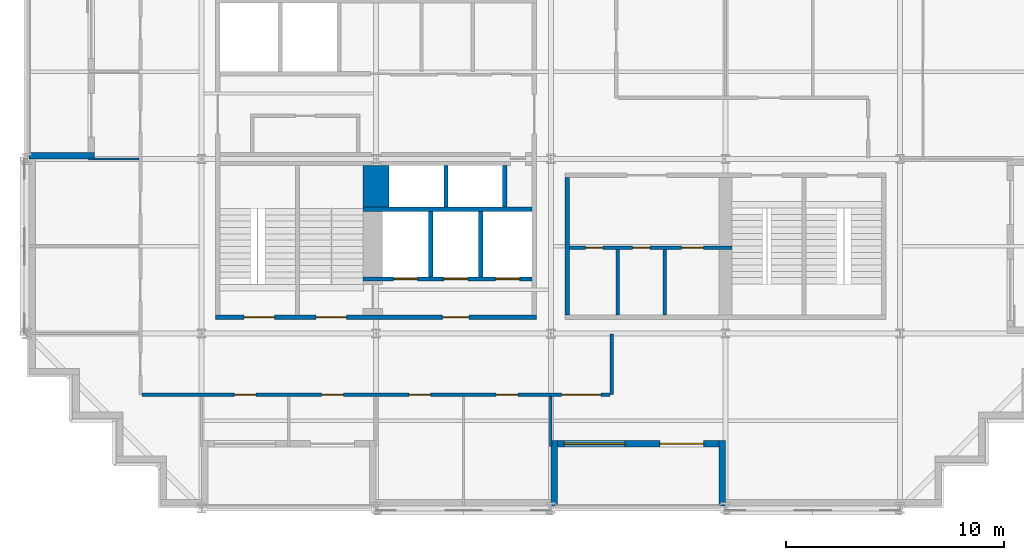
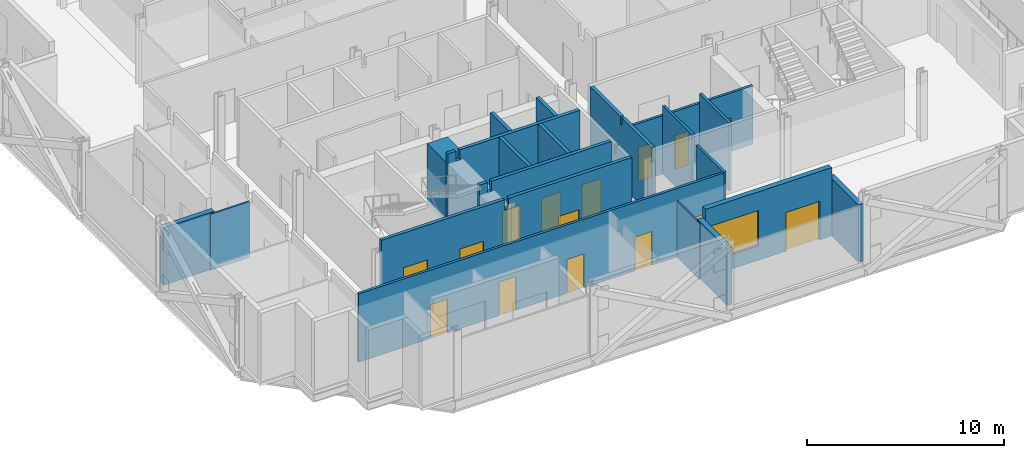
# One storey, part 6 of 13: 20 walls, 15 doors, 1 window, 16 openings.
"""IFC4 building model written with IfcOpenShell, lengths in metres."""

from ifc_helpers import new_model, si_unit, direction, frame, frame_2d, origin, place, context, subcontext, project, spatial, polyline, rectangle, outline, extrude, material, layer, layer_set, type_object, element, fill, save


model = new_model("IFC4")

# Units and contexts
model_context = context("Model", 3, precision=1e-05, world=origin(), true_north=direction((0.0, 1.0)))
body_context = subcontext(model_context, "Body", "Model", "MODEL_VIEW")
ifc_project = project(units=[si_unit("LENGTHUNIT", "METRE"), si_unit("AREAUNIT", "SQUARE_METRE"), si_unit("VOLUMEUNIT", "CUBIC_METRE"), si_unit("PLANEANGLEUNIT", "RADIAN"), si_unit("MASSUNIT", "GRAM", prefix="KILO")], contexts=[model_context])

# Site, building, storey
site_placement = place(None, origin())
site = spatial("IfcSite", under=ifc_project, at=site_placement, CompositionType="ELEMENT")
building_placement = place(site_placement, origin())
building = spatial("IfcBuilding", under=site, at=building_placement, Name="Immortelle Media Tower", CompositionType="ELEMENT")
storey_placement = place(building_placement, frame((0.0, 0.0, 74.39990234375)))
storey = spatial("IfcBuildingStorey", under=building, at=storey_placement, Name="L13", CompositionType="ELEMENT", Elevation=74.39990234375)

# Wall, openings, doors
ifc_material_1 = material(Name="Fire-rated gypsum board", Category="gypsum")
ifc_layer_1 = layer(ifc_material_1, 0.02490234375)
ifc_material_2 = material(Name="Steel ASTM A653 SS Gr 50 stud frame with mineral wool", Category="steel")
ifc_layer_2 = layer(ifc_material_2, 0.10009765625)
ifc_layer_3 = layer(ifc_material_1, 0.02490234375)
ifc_layer_set_1 = layer_set([ifc_layer_1, ifc_layer_2, ifc_layer_3], Name="Steel ASTM A653 SS Gr 50 stud frame with mineral wool")
wall_type_1 = type_object("IfcWallType", Name="Core partition 150", PredefinedType="PARTITIONING", material=ifc_layer_set_1)
wall_1_placement = place(storey_placement, frame((24.85009765625, 11.925048828125, 0.0), z_axis=(0.0, 0.0, 1.0), x_axis=(1.0, 0.0, 0.0)))
wall_1 = element("IfcWall", 1, at=wall_1_placement, inside=storey, type_object=wall_type_1, Name="Core partition SE", PredefinedType="PARTITIONING", context=body_context, shape_type="SweptSolid", body=[
    extrude(rectangle(XDim=7.449951171875, YDim=0.14990234375, at=frame_2d((3.72509765625, 0.0))), origin(), (0.0, 0.0, 1.0), 3.632080078125),
])
opening_1_placement = place(wall_1_placement, frame((1.550048828125, 0.0, 0.0), z_axis=(0.0, 0.0, 1.0), x_axis=(-1.0, 0.0, 0.0)))
opening_1 = element("IfcOpeningElement", 2, at=opening_1_placement, cuts=wall_1, Name="Opening N4-K015", PredefinedType="OPENING", context=body_context, shape_type="SweptSolid", body=[
    extrude(rectangle(XDim=0.800048828125, YDim=2.10009765625, at=frame_2d((0.39990234375, 1.050048828125))), frame((0.0, 0.0849609375, 0.0), z_axis=(0.0, -1.0, 0.0), x_axis=(1.0, 0.0, 0.0)), (0.0, 0.0, 1.0), 0.169921875),
])
opening_2_placement = place(wall_1_placement, frame((3.699951171875, 0.0, 0.0), z_axis=(0.0, 0.0, 1.0), x_axis=(-1.0, 0.0, 0.0)))
opening_2 = element("IfcOpeningElement", 3, at=opening_2_placement, cuts=wall_1, Name="Opening N4-K016", PredefinedType="OPENING", context=body_context, shape_type="SweptSolid", body=[
    extrude(rectangle(XDim=0.800048828125, YDim=2.10009765625, at=frame_2d((0.39990234375, 1.050048828125))), frame((0.0, 0.0849609375, 0.0), z_axis=(0.0, -1.0, 0.0), x_axis=(1.0, 0.0, 0.0)), (0.0, 0.0, 1.0), 0.169921875),
])
opening_3_placement = place(wall_1_placement, frame((6.14990234375, 0.0, 0.0), z_axis=(0.0, 0.0, 1.0), x_axis=(-1.0, 0.0, 0.0)))
opening_3 = element("IfcOpeningElement", 4, at=opening_3_placement, cuts=wall_1, Name="Opening N4-K018", PredefinedType="OPENING", context=body_context, shape_type="SweptSolid", body=[
    extrude(rectangle(XDim=1.0, YDim=2.10009765625, at=frame_2d((0.5, 1.050048828125))), frame((0.0, 0.0849609375, 0.0), z_axis=(0.0, -1.0, 0.0), x_axis=(1.0, 0.0, 0.0)), (0.0, 0.0, 1.0), 0.169921875),
])
ifc_material_3 = material(Name="Timber", Category="wood")
door_type_1 = type_object("IfcDoorType", Name="Accessible toilet door 1000 x 2100", OperationType="NOTDEFINED", PredefinedType="NOTDEFINED", material=ifc_material_3)
door_1_placement = place(opening_3_placement, origin())
door_1 = element("IfcDoor", 5, at=door_1_placement, inside=storey, type_object=door_type_1, Name="Accessible toilet N4-K018", OperationType="SINGLE_SWING_LEFT", OverallHeight=2.10009765625, OverallWidth=1.0, PredefinedType="NOTDEFINED", context=body_context, shape_type="SweptSolid", body=[
    extrude(rectangle(XDim=1.0, YDim=2.10009765625, at=frame_2d((0.5, 1.050048828125))), frame((0.0, 0.02490234375, 0.0), z_axis=(0.0, -1.0, 0.0), x_axis=(1.0, 0.0, 0.0)), (0.0, 0.0, 1.0), 0.050048828125),
])
fill(opening_3, door_1)
door_type_2 = type_object("IfcDoorType", Name="Toilet door 800 x 2100", OperationType="NOTDEFINED", PredefinedType="NOTDEFINED", material=ifc_material_3)
door_2_placement = place(opening_1_placement, origin())
door_2 = element("IfcDoor", 6, at=door_2_placement, inside=storey, type_object=door_type_2, Name="Toilet N4-K015", OperationType="SINGLE_SWING_LEFT", OverallHeight=2.10009765625, OverallWidth=0.800048828125, PredefinedType="NOTDEFINED", context=body_context, shape_type="SweptSolid", body=[
    extrude(rectangle(XDim=0.800048828125, YDim=2.10009765625, at=frame_2d((0.39990234375, 1.050048828125))), frame((0.0, 0.02490234375, 0.0), z_axis=(0.0, -1.0, 0.0), x_axis=(1.0, 0.0, 0.0)), (0.0, 0.0, 1.0), 0.050048828125),
])
fill(opening_1, door_2)
door_3_placement = place(opening_2_placement, origin())
door_3 = element("IfcDoor", 7, at=door_3_placement, inside=storey, type_object=door_type_2, Name="Toilet N4-K016", OperationType="SINGLE_SWING_RIGHT", OverallHeight=2.10009765625, OverallWidth=0.800048828125, PredefinedType="NOTDEFINED", context=body_context, shape_type="SweptSolid", body=[
    extrude(rectangle(XDim=0.800048828125, YDim=2.10009765625, at=frame_2d((0.39990234375, 1.050048828125))), frame((0.0, 0.02490234375, 0.0), z_axis=(0.0, -1.0, 0.0), x_axis=(1.0, 0.0, 0.0)), (0.0, 0.0, 1.0), 0.050048828125),
])
fill(opening_2, door_3)

# Walls
for number, where, z_axis, x_axis, name in (
    (8, (27.074951171875, 8.85009765625, 0.0), (0.0, 0.0, 1.0), (0.0, 1.0, 0.0), "Core partition SE"),
    (9, (29.22509765625, 8.85009765625, 0.0), (0.0, 0.0, 1.0), (0.0, 1.0, 0.0), "Core partition SE"),
):
    element("IfcWall", number, at=place(storey_placement, frame(where, z_axis=z_axis, x_axis=x_axis)), inside=storey, type_object=wall_type_1, Name=name, PredefinedType="PARTITIONING", context=body_context, shape_type="SweptSolid", body=[
        extrude(rectangle(XDim=3.0, YDim=0.14990234375, at=frame_2d((1.5, 0.0))), origin(), (0.0, 0.0, 1.0), 4.25),
    ])

# Wall, openings, doors
ifc_layer_4 = layer(ifc_material_1, 0.03759765625)
ifc_layer_5 = layer(ifc_material_2, 0.125)
ifc_layer_6 = layer(ifc_material_1, 0.03759765625)
ifc_layer_set_2 = layer_set([ifc_layer_4, ifc_layer_5, ifc_layer_6], Name="Steel ASTM A653 SS Gr 50 stud frame with mineral wool")
wall_type_2 = type_object("IfcWallType", Name="Core shaft wall 200", PredefinedType="PARTITIONING", material=ifc_layer_set_2)
wall_2_placement = place(storey_placement, frame((15.39990234375, 10.5, 0.0), z_axis=(0.0, 0.0, 1.0), x_axis=(1.0, 0.0, 0.0)))
wall_2 = element("IfcWall", 10, at=wall_2_placement, inside=storey, type_object=wall_type_2, Name="Core shaft wall SW", PredefinedType="PARTITIONING", context=body_context, shape_type="SweptSolid", body=[
    extrude(outline(polyline([(0.0, 0.0), (7.75, 0.0), (7.75, 4.25), (0.719482421875, 4.25), (0.718505859375, 3.632080078125), (0.4814453125, 3.632080078125), (0.48046875, 4.25), (0.0, 4.25), (0.0, 0.0)])), frame((0.0, 0.10009765625, 0.0), z_axis=(0.0, -1.0, 0.0), x_axis=(1.0, 0.0, 0.0)), (0.0, 0.0, 1.0), 0.199951171875),
])
opening_4_placement = place(wall_2_placement, frame((1.39990234375, 0.0, 0.0)))
opening_4 = element("IfcOpeningElement", 11, at=opening_4_placement, cuts=wall_2, Name="Opening LD", PredefinedType="OPENING", context=body_context, shape_type="SweptSolid", body=[
    extrude(rectangle(XDim=1.10009765625, YDim=2.10009765625, at=frame_2d((0.550048828125, 1.050048828125))), frame((0.0, 0.10986328125, 0.0), z_axis=(0.0, -1.0, 0.0), x_axis=(1.0, 0.0, 0.0)), (0.0, 0.0, 1.0), 0.219970703125),
])
opening_5_placement = place(wall_2_placement, frame((3.699951171875, 0.0, 0.0)))
opening_5 = element("IfcOpeningElement", 12, at=opening_5_placement, cuts=wall_2, Name="Opening LD", PredefinedType="OPENING", context=body_context, shape_type="SweptSolid", body=[
    extrude(rectangle(XDim=1.10009765625, YDim=2.10009765625, at=frame_2d((0.550048828125, 1.050048828125))), frame((0.0, 0.10986328125, 0.0), z_axis=(0.0, -1.0, 0.0), x_axis=(1.0, 0.0, 0.0)), (0.0, 0.0, 1.0), 0.219970703125),
])
opening_6_placement = place(wall_2_placement, frame((6.074951171875, 0.0, 0.0)))
opening_6 = element("IfcOpeningElement", 13, at=opening_6_placement, cuts=wall_2, Name="Opening LD", PredefinedType="OPENING", context=body_context, shape_type="SweptSolid", body=[
    extrude(rectangle(XDim=1.10009765625, YDim=2.10009765625, at=frame_2d((0.550048828125, 1.050048828125))), frame((0.0, 0.10986328125, 0.0), z_axis=(0.0, -1.0, 0.0), x_axis=(1.0, 0.0, 0.0)), (0.0, 0.0, 1.0), 0.219970703125),
])
ifc_material_4 = material(Name="Stainless steel AISI 304", Category="steel")
door_type_3 = type_object("IfcDoorType", Name="Landing door 1100 x 2100", OperationType="SLIDING_TO_LEFT", PredefinedType="NOTDEFINED", material=ifc_material_4)
door_4_placement = place(opening_4_placement, origin())
door_4 = element("IfcDoor", 14, at=door_4_placement, inside=storey, type_object=door_type_3, Name="Landing door FF1 L13", OperationType="SLIDING_TO_LEFT", OverallHeight=2.10009765625, OverallWidth=1.10009765625, PredefinedType="NOTDEFINED", context=body_context, shape_type="SweptSolid", body=[
    extrude(rectangle(XDim=1.10009765625, YDim=2.10009765625, at=frame_2d((0.550048828125, 1.050048828125))), frame((0.0, 0.02490234375, 0.0), z_axis=(0.0, -1.0, 0.0), x_axis=(1.0, 0.0, 0.0)), (0.0, 0.0, 1.0), 0.050048828125),
])
fill(opening_4, door_4)
door_5_placement = place(opening_5_placement, origin())
door_5 = element("IfcDoor", 15, at=door_5_placement, inside=storey, type_object=door_type_3, Name="Landing door FF2 L13", OperationType="SLIDING_TO_LEFT", OverallHeight=2.10009765625, OverallWidth=1.10009765625, PredefinedType="NOTDEFINED", context=body_context, shape_type="SweptSolid", body=[
    extrude(rectangle(XDim=1.10009765625, YDim=2.10009765625, at=frame_2d((0.550048828125, 1.050048828125))), frame((0.0, 0.02490234375, 0.0), z_axis=(0.0, -1.0, 0.0), x_axis=(1.0, 0.0, 0.0)), (0.0, 0.0, 1.0), 0.050048828125),
])
fill(opening_5, door_5)
door_6_placement = place(opening_6_placement, origin())
door_6 = element("IfcDoor", 16, at=door_6_placement, inside=storey, type_object=door_type_3, Name="Landing door FF3 L13", OperationType="SLIDING_TO_LEFT", OverallHeight=2.10009765625, OverallWidth=1.10009765625, PredefinedType="NOTDEFINED", context=body_context, shape_type="SweptSolid", body=[
    extrude(rectangle(XDim=1.10009765625, YDim=2.10009765625, at=frame_2d((0.550048828125, 1.050048828125))), frame((0.0, 0.02490234375, 0.0), z_axis=(0.0, -1.0, 0.0), x_axis=(1.0, 0.0, 0.0)), (0.0, 0.0, 1.0), 0.050048828125),
])
fill(opening_6, door_6)

# Walls
wall_3_placement = place(storey_placement, frame((15.39990234375, 13.699951171875, 0.0), z_axis=(0.0, 0.0, 1.0), x_axis=(1.0, 0.0, 0.0)))
element("IfcWall", 17, at=wall_3_placement, inside=storey, type_object=wall_type_2, Name="Core shaft wall SW", PredefinedType="PARTITIONING", context=body_context, shape_type="SweptSolid", body=[
    extrude(outline(polyline([(0.0, 0.0), (7.75, 0.0), (7.75, 4.25), (0.719482421875, 4.25), (0.718505859375, 3.632080078125), (0.4814453125, 3.632080078125), (0.48046875, 4.25), (0.0, 4.25), (0.0, 0.0)])), frame((0.0, 0.10009765625, 0.0), z_axis=(0.0, -1.0, 0.0), x_axis=(1.0, 0.0, 0.0)), (0.0, 0.0, 1.0), 0.199951171875),
])
wall_4_placement = place(storey_placement, frame((18.5, 10.60009765625, 0.0), z_axis=(0.0, 0.0, 1.0), x_axis=(0.0, 1.0, 0.0)))
element("IfcWall", 18, at=wall_4_placement, inside=storey, type_object=wall_type_2, Name="Core shaft wall SW", PredefinedType="PARTITIONING", context=body_context, shape_type="SweptSolid", body=[
    extrude(rectangle(XDim=3.0, YDim=0.199951171875, at=frame_2d((1.5, 0.0))), origin(), (0.0, 0.0, 1.0), 4.25),
])
wall_5_placement = place(storey_placement, frame((19.199951171875, 13.800048828125, 0.0), z_axis=(0.0, 0.0, 1.0), x_axis=(0.0, 1.0, 0.0)))
element("IfcWall", 19, at=wall_5_placement, inside=storey, type_object=wall_type_2, Name="Core shaft wall SW", PredefinedType="PARTITIONING", context=body_context, shape_type="SweptSolid", body=[
    extrude(rectangle(XDim=1.89990234375, YDim=0.199951171875, at=frame_2d((0.949951171875, 0.0))), origin(), (0.0, 0.0, 1.0), 4.25),
])
wall_6_placement = place(storey_placement, frame((20.800048828125, 10.60009765625, 0.0), z_axis=(0.0, 0.0, 1.0), x_axis=(0.0, 1.0, 0.0)))
element("IfcWall", 20, at=wall_6_placement, inside=storey, type_object=wall_type_2, Name="Core shaft wall SW", PredefinedType="PARTITIONING", context=body_context, shape_type="SweptSolid", body=[
    extrude(rectangle(XDim=3.0, YDim=0.199951171875, at=frame_2d((1.5, 0.0))), origin(), (0.0, 0.0, 1.0), 4.25),
])
wall_7_placement = place(storey_placement, frame((21.89990234375, 13.800048828125, 0.0), z_axis=(0.0, 0.0, 1.0), x_axis=(0.0, 1.0, 0.0)))
element("IfcWall", 21, at=wall_7_placement, inside=storey, type_object=wall_type_2, Name="Core shaft wall SW", PredefinedType="PARTITIONING", context=body_context, shape_type="SweptSolid", body=[
    extrude(rectangle(XDim=1.89990234375, YDim=0.199951171875, at=frame_2d((0.949951171875, 0.0))), origin(), (0.0, 0.0, 1.0), 4.25),
])
wall_8_placement = place(storey_placement, frame((24.75, 8.85009765625, 0.0), z_axis=(0.0, 0.0, 1.0), x_axis=(0.0, 1.0, 0.0)))
element("IfcWall", 22, at=wall_8_placement, inside=storey, type_object=wall_type_2, Name="Core shaft wall SE", PredefinedType="PARTITIONING", context=body_context, shape_type="SweptSolid", body=[
    extrude(outline(polyline([(0.0, 0.0), (6.2998046875, 0.0), (6.300048828125, 4.25), (3.2314453125, 4.25), (3.23046875, 3.7890625), (3.069580078125, 3.7890625), (3.068603515625, 4.25), (0.0, 4.25), (0.0, 0.0)])), frame((0.0, 0.10009765625, 0.0), z_axis=(0.0, -1.0, 0.0), x_axis=(1.0, 0.0, 0.0)), (0.0, 0.0, 1.0), 0.199951171875),
])

# Wall, openings, doors
ifc_layer_7 = layer(ifc_material_1, 0.012451171875)
ifc_layer_8 = layer(ifc_material_2, 0.125)
ifc_layer_9 = layer(ifc_material_1, 0.012451171875)
ifc_layer_set_3 = layer_set([ifc_layer_7, ifc_layer_8, ifc_layer_9], Name="Steel ASTM A653 SS Gr 50 stud frame with mineral wool")
wall_type_3 = type_object("IfcWallType", Name="Corridor wall 150", PredefinedType="PARTITIONING", material=ifc_layer_set_3)
wall_9_placement = place(storey_placement, frame((5.27490234375, 5.199951171875, 0.0), z_axis=(0.0, 0.0, 1.0), x_axis=(1.0, 0.0, 0.0)))
wall_9 = element("IfcWall", 23, at=wall_9_placement, inside=storey, type_object=wall_type_3, Name="Partition L13-006", PredefinedType="PARTITIONING", context=body_context, shape_type="SweptSolid", body=[
    extrude(rectangle(XDim=21.4501953125, YDim=0.14990234375, at=frame_2d((10.72509765625, 0.0))), origin(), (0.0, 0.0, 1.0), 4.25),
])
opening_7_placement = place(wall_9_placement, frame((13.22509765625, 0.0, 0.0), z_axis=(0.0, 0.0, 1.0), x_axis=(-1.0, 0.0, 0.0)))
opening_7 = element("IfcOpeningElement", 24, at=opening_7_placement, cuts=wall_9, Name="Opening N4-F001", PredefinedType="OPENING", context=body_context, shape_type="SweptSolid", body=[
    extrude(rectangle(XDim=1.0, YDim=2.10009765625, at=frame_2d((0.5, 1.050048828125))), frame((0.0, 0.0849609375, 0.0), z_axis=(0.0, -1.0, 0.0), x_axis=(1.0, 0.0, 0.0)), (0.0, 0.0, 1.0), 0.169921875),
])
opening_8_placement = place(wall_9_placement, frame((17.22509765625, 0.0, 0.0), z_axis=(0.0, 0.0, 1.0), x_axis=(-1.0, 0.0, 0.0)))
opening_8 = element("IfcOpeningElement", 25, at=opening_8_placement, cuts=wall_9, Name="Opening N4-F002", PredefinedType="OPENING", context=body_context, shape_type="SweptSolid", body=[
    extrude(rectangle(XDim=1.0, YDim=2.10009765625, at=frame_2d((0.5, 1.050048828125))), frame((0.0, 0.0849609375, 0.0), z_axis=(0.0, -1.0, 0.0), x_axis=(1.0, 0.0, 0.0)), (0.0, 0.0, 1.0), 0.169921875),
])
opening_9_placement = place(wall_9_placement, frame((5.22509765625, 0.0, 0.0), z_axis=(0.0, 0.0, 1.0), x_axis=(-1.0, 0.0, 0.0)))
opening_9 = element("IfcOpeningElement", 26, at=opening_9_placement, cuts=wall_9, Name="Opening N4-F003", PredefinedType="OPENING", context=body_context, shape_type="SweptSolid", body=[
    extrude(rectangle(XDim=1.0, YDim=2.10009765625, at=frame_2d((0.5, 1.050048828125))), frame((0.0, 0.0849609375, 0.0), z_axis=(0.0, -1.0, 0.0), x_axis=(1.0, 0.0, 0.0)), (0.0, 0.0, 1.0), 0.169921875),
])
opening_10_placement = place(wall_9_placement, frame((9.22509765625, 0.0, 0.0), z_axis=(0.0, 0.0, 1.0), x_axis=(-1.0, 0.0, 0.0)))
opening_10 = element("IfcOpeningElement", 27, at=opening_10_placement, cuts=wall_9, Name="Opening N4-F004", PredefinedType="OPENING", context=body_context, shape_type="SweptSolid", body=[
    extrude(rectangle(XDim=1.0, YDim=2.10009765625, at=frame_2d((0.5, 1.050048828125))), frame((0.0, 0.0849609375, 0.0), z_axis=(0.0, -1.0, 0.0), x_axis=(1.0, 0.0, 0.0)), (0.0, 0.0, 1.0), 0.169921875),
])
opening_11_placement = place(wall_9_placement, frame((19.22509765625, 0.0, 0.0)))
opening_11 = element("IfcOpeningElement", 28, at=opening_11_placement, cuts=wall_9, Name="Opening N4-F006", PredefinedType="OPENING", context=body_context, shape_type="SweptSolid", body=[
    extrude(rectangle(XDim=1.800048828125, YDim=2.10009765625, at=frame_2d((0.89990234375, 1.050048828125))), frame((0.0, 0.0849609375, 0.0), z_axis=(0.0, -1.0, 0.0), x_axis=(1.0, 0.0, 0.0)), (0.0, 0.0, 1.0), 0.169921875),
])
ifc_material_5 = material(Name="Timber veneered door leaf, galvanised steel frame ASTM A653", Category="steel")
door_type_4 = type_object("IfcDoorType", Name="Room door 1000 x 2100", OperationType="NOTDEFINED", PredefinedType="DOOR", material=ifc_material_5)
door_7_placement = place(opening_7_placement, origin())
door_7 = element("IfcDoor", 29, at=door_7_placement, inside=storey, type_object=door_type_4, Name="Door N4-F001", OperationType="SINGLE_SWING_RIGHT", OverallHeight=2.10009765625, OverallWidth=1.0, PredefinedType="DOOR", context=body_context, shape_type="SweptSolid", body=[
    extrude(rectangle(XDim=1.0, YDim=2.10009765625, at=frame_2d((0.5, 1.050048828125))), frame((0.0, 0.02490234375, 0.0), z_axis=(0.0, -1.0, 0.0), x_axis=(1.0, 0.0, 0.0)), (0.0, 0.0, 1.0), 0.050048828125),
])
fill(opening_7, door_7)
door_8_placement = place(opening_8_placement, origin())
door_8 = element("IfcDoor", 30, at=door_8_placement, inside=storey, type_object=door_type_4, Name="Door N4-F002", OperationType="SINGLE_SWING_LEFT", OverallHeight=2.10009765625, OverallWidth=1.0, PredefinedType="DOOR", context=body_context, shape_type="SweptSolid", body=[
    extrude(rectangle(XDim=1.0, YDim=2.10009765625, at=frame_2d((0.5, 1.050048828125))), frame((0.0, 0.02490234375, 0.0), z_axis=(0.0, -1.0, 0.0), x_axis=(1.0, 0.0, 0.0)), (0.0, 0.0, 1.0), 0.050048828125),
])
fill(opening_8, door_8)
door_9_placement = place(opening_9_placement, origin())
door_9 = element("IfcDoor", 31, at=door_9_placement, inside=storey, type_object=door_type_4, Name="Door N4-F003", OperationType="SINGLE_SWING_LEFT", OverallHeight=2.10009765625, OverallWidth=1.0, PredefinedType="DOOR", context=body_context, shape_type="SweptSolid", body=[
    extrude(rectangle(XDim=1.0, YDim=2.10009765625, at=frame_2d((0.5, 1.050048828125))), frame((0.0, 0.02490234375, 0.0), z_axis=(0.0, -1.0, 0.0), x_axis=(1.0, 0.0, 0.0)), (0.0, 0.0, 1.0), 0.050048828125),
])
fill(opening_9, door_9)
door_10_placement = place(opening_10_placement, origin())
door_10 = element("IfcDoor", 32, at=door_10_placement, inside=storey, type_object=door_type_4, Name="Door N4-F004", OperationType="SINGLE_SWING_LEFT", OverallHeight=2.10009765625, OverallWidth=1.0, PredefinedType="DOOR", context=body_context, shape_type="SweptSolid", body=[
    extrude(rectangle(XDim=1.0, YDim=2.10009765625, at=frame_2d((0.5, 1.050048828125))), frame((0.0, 0.02490234375, 0.0), z_axis=(0.0, -1.0, 0.0), x_axis=(1.0, 0.0, 0.0)), (0.0, 0.0, 1.0), 0.050048828125),
])
fill(opening_10, door_10)
door_type_5 = type_object("IfcDoorType", Name="Room door 1800 x 2100", OperationType="DOUBLE_DOOR_SINGLE_SWING", PredefinedType="DOOR", material=ifc_material_5)
door_11_placement = place(opening_11_placement, origin())
door_11 = element("IfcDoor", 33, at=door_11_placement, inside=storey, type_object=door_type_5, Name="Door N4-F006", OperationType="DOUBLE_DOOR_SINGLE_SWING", OverallHeight=2.10009765625, OverallWidth=1.800048828125, PredefinedType="DOOR", context=body_context, shape_type="SweptSolid", body=[
    extrude(rectangle(XDim=1.800048828125, YDim=2.10009765625, at=frame_2d((0.89990234375, 1.050048828125))), frame((0.0, 0.02490234375, 0.0), z_axis=(0.0, -1.0, 0.0), x_axis=(1.0, 0.0, 0.0)), (0.0, 0.0, 1.0), 0.050048828125),
])
fill(opening_11, door_11)

# Walls
wall_10_placement = place(storey_placement, frame((26.800048828125, 5.199951171875, 0.0), z_axis=(0.0, 0.0, 1.0), x_axis=(0.0, 1.0, 0.0)))
element("IfcWall", 34, at=wall_10_placement, inside=storey, type_object=wall_type_3, Name="Partition L13-008", PredefinedType="PARTITIONING", context=body_context, shape_type="SweptSolid", body=[
    extrude(rectangle(XDim=2.77001953125, YDim=0.14990234375, at=frame_2d((1.385009765625, 0.0))), origin(), (0.0, 0.0, 1.0), 4.25),
])
ifc_material_6 = material(Name="Pale aluminium cladding panel", Category="aluminium")
ifc_layer_10 = layer(ifc_material_6, 0.030029296875)
ifc_layer_11 = layer(ifc_material_2, 0.257568359375)
ifc_material_7 = material(Name="Moisture-resistant gypsum board", Category="gypsum")
ifc_layer_12 = layer(ifc_material_7, 0.012451171875)
ifc_layer_set_4 = layer_set([ifc_layer_10, ifc_layer_11, ifc_layer_12], Name="Steel ASTM A653 SS Gr 50 stud frame with mineral wool")
wall_type_4 = type_object("IfcWallType", Name="Facade wall 300", PredefinedType="SOLIDWALL", material=ifc_layer_set_4)
wall_11_placement = place(storey_placement, frame((0.10009765625, 16.14990234375, 0.0), z_axis=(0.0, 0.0, 1.0), x_axis=(1.0, 0.0, 0.0)))
element("IfcWall", 35, at=wall_11_placement, inside=storey, type_object=wall_type_4, Name="Loggia cheek wall L13 W", PredefinedType="SOLIDWALL", context=body_context, shape_type="SweptSolid", body=[
    extrude(rectangle(XDim=3.0, YDim=0.300048828125, at=frame_2d((1.5, 0.0))), origin(), (0.0, 0.0, 1.0), 3.55615234375),
])

# Wall, openings, door, window
wall_12_placement = place(storey_placement, frame((24.300048828125, 2.949951171875, 0.0), z_axis=(0.0, 0.0, 1.0), x_axis=(1.0, 0.0, 0.0)))
wall_12 = element("IfcWall", 36, at=wall_12_placement, inside=storey, type_object=wall_type_4, Name="Loggia wall L13 S7", PredefinedType="SOLIDWALL", context=body_context, shape_type="SweptSolid", body=[
    extrude(rectangle(XDim=7.39990234375, YDim=0.300048828125, at=frame_2d((3.699951171875, 0.0))), origin(), (0.0, 0.0, 1.0), 4.25),
])
opening_12_placement = place(wall_12_placement, frame((0.300048828125, 0.0, 0.89990234375)))
opening_12 = element("IfcOpeningElement", 37, at=opening_12_placement, cuts=wall_12, Name="Opening W1", PredefinedType="OPENING", context=body_context, shape_type="SweptSolid", body=[
    extrude(rectangle(XDim=2.800048828125, YDim=2.199951171875, at=frame_2d((1.39990234375, 1.10009765625))), frame((0.0, 0.159912109375, 0.0), z_axis=(0.0, -1.0, 0.0), x_axis=(1.0, 0.0, 0.0)), (0.0, 0.0, 1.0), 0.320068359375),
])
opening_13_placement = place(wall_12_placement, frame((4.699951171875, 0.0, 0.0)))
opening_13 = element("IfcOpeningElement", 38, at=opening_13_placement, cuts=wall_12, Name="Opening N4-E004", PredefinedType="OPENING", context=body_context, shape_type="SweptSolid", body=[
    extrude(rectangle(XDim=2.0, YDim=2.39990234375, at=frame_2d((1.0, 1.199951171875))), frame((0.0, 0.159912109375, 0.0), z_axis=(0.0, -1.0, 0.0), x_axis=(1.0, 0.0, 0.0)), (0.0, 0.0, 1.0), 0.320068359375),
])
ifc_material_8 = material(Name="Aluminium frame, glazed leaves", Category="aluminium")
door_type_6 = type_object("IfcDoorType", Name="Loggia door 2000 x 2400", OperationType="DOUBLE_DOOR_SINGLE_SWING", PredefinedType="DOOR", material=ifc_material_8)
door_12_placement = place(opening_13_placement, origin())
door_12 = element("IfcDoor", 39, at=door_12_placement, inside=storey, type_object=door_type_6, Name="Door N4-E004", OperationType="DOUBLE_DOOR_SINGLE_SWING", OverallHeight=2.39990234375, OverallWidth=2.0, PredefinedType="DOOR", context=body_context, shape_type="SweptSolid", body=[
    extrude(rectangle(XDim=2.0, YDim=2.39990234375, at=frame_2d((1.0, 1.199951171875))), frame((0.0, 0.02490234375, 0.0), z_axis=(0.0, -1.0, 0.0), x_axis=(1.0, 0.0, 0.0)), (0.0, 0.0, 1.0), 0.050048828125),
])
fill(opening_13, door_12)
ifc_material_9 = material(Name="Aluminium frame", Category="aluminium")
window_type = type_object("IfcWindowType", Name="Window 2800 x 2200", PartitioningType="SINGLE_PANEL", PredefinedType="WINDOW", material=ifc_material_9)
window_placement = place(opening_12_placement, origin())
window = element("IfcWindow", 40, at=window_placement, inside=storey, type_object=window_type, Name="Window L13 L13-R7-B2", OverallHeight=2.199951171875, OverallWidth=2.800048828125, PartitioningType="SINGLE_PANEL", PredefinedType="WINDOW", context=body_context, shape_type="SweptSolid", body=[
    extrude(rectangle(XDim=2.800048828125, YDim=2.199951171875, at=frame_2d((1.39990234375, 1.10009765625))), frame((0.0, 0.030029296875, 0.0), z_axis=(0.0, -1.0, 0.0), x_axis=(1.0, 0.0, 0.0)), (0.0, 0.0, 1.0), 0.06005859375),
])
fill(opening_12, window)

# Walls
for number, where, z_axis, x_axis, name in (
    (41, (24.14990234375, 0.10009765625, 0.0), (0.0, 0.0, 1.0), (0.0, 1.0, 0.0), "Loggia cheek wall L13 S"),
    (42, (31.85009765625, 0.10009765625, 0.0), (0.0, 0.0, 1.0), (0.0, 1.0, 0.0), "Loggia cheek wall L13 S"),
):
    element("IfcWall", number, at=place(storey_placement, frame(where, z_axis=z_axis, x_axis=x_axis)), inside=storey, type_object=wall_type_4, Name=name, PredefinedType="SOLIDWALL", context=body_context, shape_type="SweptSolid", body=[
        extrude(rectangle(XDim=3.0, YDim=0.300048828125, at=frame_2d((1.5, 0.0))), origin(), (0.0, 0.0, 1.0), 3.55615234375),
    ])
ifc_material_10 = material(Name="Gypsum board", Category="gypsum")
ifc_layer_13 = layer(ifc_material_10, 0.012451171875)
ifc_layer_14 = layer(ifc_material_2, 0.074951171875)
ifc_layer_15 = layer(ifc_material_10, 0.012451171875)
ifc_layer_set_5 = layer_set([ifc_layer_13, ifc_layer_14, ifc_layer_15], Name="Steel ASTM A653 SS Gr 50 stud frame with mineral wool")
wall_type_5 = type_object("IfcWallType", Name="Partition 100", PredefinedType="PARTITIONING", material=ifc_layer_set_5)
for number, where, z_axis, x_axis, name in (
    (43, (24.0, 2.830078125, 0.0), (0.0, 0.0, 1.0), (0.0, 1.0, 0.0), "Partition L13-005"),
    (44, (2.830078125, 16.0, 0.0), (0.0, 0.0, 1.0), (1.0, 0.0, 0.0), "Partition L13-011"),
):
    element("IfcWall", number, at=place(storey_placement, frame(where, z_axis=z_axis, x_axis=x_axis)), inside=storey, type_object=wall_type_5, Name=name, PredefinedType="PARTITIONING", context=body_context, shape_type="SweptSolid", body=[
        extrude(rectangle(XDim=2.294921875, YDim=0.10009765625, at=frame_2d((1.1474609375, 0.0))), origin(), (0.0, 0.0, 1.0), 3.47021484375),
    ])
ifc_material_11 = material(Name="Concrete C60", Category="concrete")
ifc_layer_16 = layer(ifc_material_11, 1.199951171875)
ifc_layer_set_6 = layer_set([ifc_layer_16], Name="Concrete C60")
wall_type_6 = type_object("IfcWallType", Name="Stair shaft wall 1200", PredefinedType="PARTITIONING", material=ifc_layer_set_6)
wall_13_placement = place(storey_placement, frame((16.0, 13.800048828125, 0.0), z_axis=(0.0, 0.0, 1.0), x_axis=(0.0, 1.0, 0.0)))
element("IfcWall", 45, at=wall_13_placement, inside=storey, type_object=wall_type_6, Name="Stair shaft wall SW", PredefinedType="PARTITIONING", context=body_context, shape_type="SweptSolid", body=[
    extrude(rectangle(XDim=1.89990234375, YDim=1.199951171875, at=frame_2d((0.949951171875, 0.0))), origin(), (0.0, 0.0, 1.0), 3.632080078125),
])

# Wall, openings, doors
ifc_layer_17 = layer(ifc_material_11, 0.199951171875)
ifc_layer_set_7 = layer_set([ifc_layer_17], Name="Concrete C60")
wall_type_7 = type_object("IfcWallType", Name="Stair shaft wall 200", PredefinedType="PARTITIONING", material=ifc_layer_set_7)
wall_14_placement = place(storey_placement, frame((8.64990234375, 8.75, 0.0), z_axis=(0.0, 0.0, 1.0), x_axis=(1.0, 0.0, 0.0)))
wall_14 = element("IfcWall", 46, at=wall_14_placement, inside=storey, type_object=wall_type_7, Name="Stair shaft wall SW", PredefinedType="PARTITIONING", context=body_context, shape_type="SweptSolid", body=[
    extrude(outline(polyline([(0.0, 0.0), (14.7001953125, 0.0), (14.699951171875, 4.25), (7.469482421875, 4.25), (7.468505859375, 3.632080078125), (7.2314453125, 3.632080078125), (7.23046875, 4.25), (0.0, 4.25), (0.0, 0.0)])), frame((0.0, 0.10009765625, 0.0), z_axis=(0.0, -1.0, 0.0), x_axis=(1.0, 0.0, 0.0)), (0.0, 0.0, 1.0), 0.199951171875),
])
opening_14_placement = place(wall_14_placement, frame((1.300048828125, 0.0, 0.0)))
opening_14 = element("IfcOpeningElement", 47, at=opening_14_placement, cuts=wall_14, Name="Opening N4-K002", PredefinedType="OPENING", context=body_context, shape_type="SweptSolid", body=[
    extrude(rectangle(XDim=1.39990234375, YDim=2.10009765625, at=frame_2d((0.699951171875, 1.050048828125))), frame((0.0, 0.10986328125, 0.0), z_axis=(0.0, -1.0, 0.0), x_axis=(1.0, 0.0, 0.0)), (0.0, 0.0, 1.0), 0.219970703125),
])
opening_15_placement = place(wall_14_placement, frame((4.60009765625, 0.0, 0.0)))
opening_15 = element("IfcOpeningElement", 48, at=opening_15_placement, cuts=wall_14, Name="Opening N4-K004", PredefinedType="OPENING", context=body_context, shape_type="SweptSolid", body=[
    extrude(rectangle(XDim=1.39990234375, YDim=2.10009765625, at=frame_2d((0.699951171875, 1.050048828125))), frame((0.0, 0.10986328125, 0.0), z_axis=(0.0, -1.0, 0.0), x_axis=(1.0, 0.0, 0.0)), (0.0, 0.0, 1.0), 0.219970703125),
])
opening_16_placement = place(wall_14_placement, frame((10.39990234375, 0.0, 0.0)))
opening_16 = element("IfcOpeningElement", 49, at=opening_16_placement, cuts=wall_14, Name="Opening N4-K009", PredefinedType="OPENING", context=body_context, shape_type="SweptSolid", body=[
    extrude(rectangle(XDim=1.199951171875, YDim=2.10009765625, at=frame_2d((0.60009765625, 1.050048828125))), frame((0.0, 0.10986328125, 0.0), z_axis=(0.0, -1.0, 0.0), x_axis=(1.0, 0.0, 0.0)), (0.0, 0.0, 1.0), 0.219970703125),
])
ifc_material_12 = material(Name="Galvanised steel door leaf and frame ASTM A653", Category="steel")
door_type_7 = type_object("IfcDoorType", Name="Fire-fighting lobby door 1200 x 2100", OperationType="NOTDEFINED", PredefinedType="NOTDEFINED", material=ifc_material_12)
door_13_placement = place(opening_16_placement, origin())
door_13 = element("IfcDoor", 50, at=door_13_placement, inside=storey, type_object=door_type_7, Name="Fire-fighting lobby N4-K009", OperationType="SINGLE_SWING_RIGHT", OverallHeight=2.10009765625, OverallWidth=1.199951171875, PredefinedType="NOTDEFINED", context=body_context, shape_type="SweptSolid", body=[
    extrude(rectangle(XDim=1.199951171875, YDim=2.10009765625, at=frame_2d((0.60009765625, 1.050048828125))), frame((0.0, 0.02490234375, 0.0), z_axis=(0.0, -1.0, 0.0), x_axis=(1.0, 0.0, 0.0)), (0.0, 0.0, 1.0), 0.050048828125),
])
fill(opening_16, door_13)
door_type_8 = type_object("IfcDoorType", Name="Stair door 1400 x 2100", OperationType="DOUBLE_DOOR_SINGLE_SWING", PredefinedType="NOTDEFINED", material=ifc_material_12)
door_14_placement = place(opening_14_placement, origin())
door_14 = element("IfcDoor", 51, at=door_14_placement, inside=storey, type_object=door_type_8, Name="Stair N4-K002", OperationType="DOUBLE_DOOR_SINGLE_SWING", OverallHeight=2.10009765625, OverallWidth=1.39990234375, PredefinedType="NOTDEFINED", context=body_context, shape_type="SweptSolid", body=[
    extrude(rectangle(XDim=1.39990234375, YDim=2.10009765625, at=frame_2d((0.699951171875, 1.050048828125))), frame((0.0, 0.02490234375, 0.0), z_axis=(0.0, -1.0, 0.0), x_axis=(1.0, 0.0, 0.0)), (0.0, 0.0, 1.0), 0.050048828125),
])
fill(opening_14, door_14)
door_15_placement = place(opening_15_placement, origin())
door_15 = element("IfcDoor", 52, at=door_15_placement, inside=storey, type_object=door_type_8, Name="Stair N4-K004", OperationType="DOUBLE_DOOR_SINGLE_SWING", OverallHeight=2.10009765625, OverallWidth=1.39990234375, PredefinedType="NOTDEFINED", context=body_context, shape_type="SweptSolid", body=[
    extrude(rectangle(XDim=1.39990234375, YDim=2.10009765625, at=frame_2d((0.699951171875, 1.050048828125))), frame((0.0, 0.02490234375, 0.0), z_axis=(0.0, -1.0, 0.0), x_axis=(1.0, 0.0, 0.0)), (0.0, 0.0, 1.0), 0.050048828125),
])
fill(opening_15, door_15)

save(model, "model.ifc")
